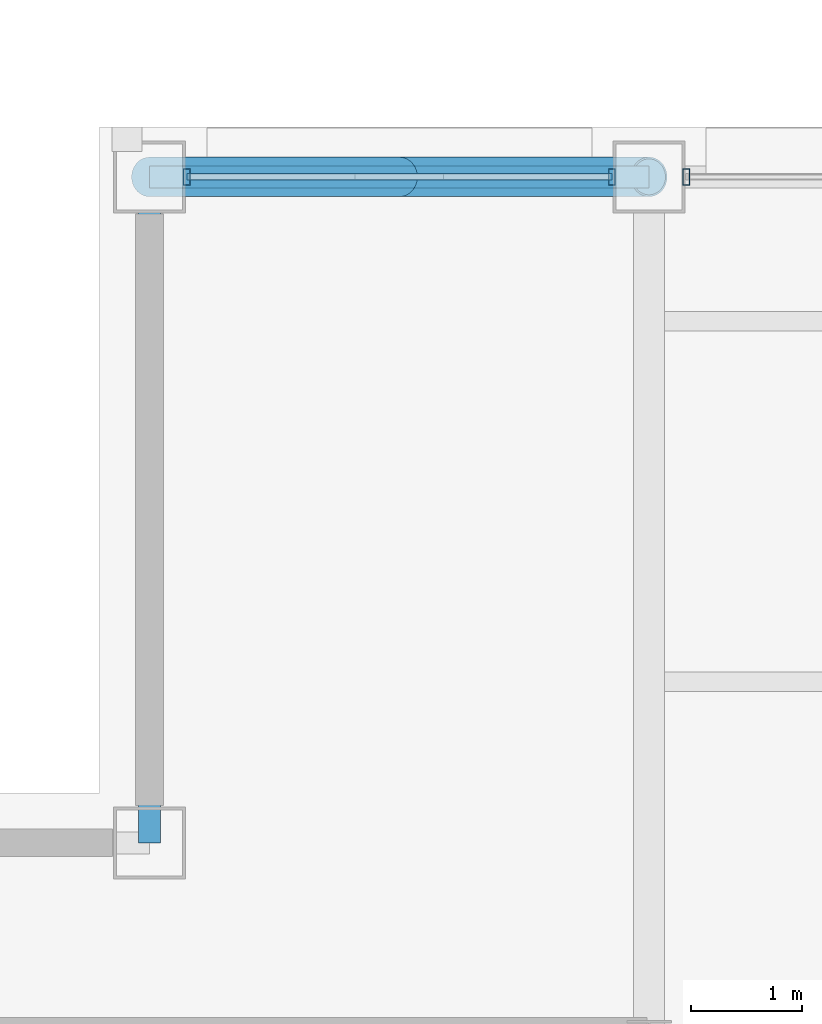
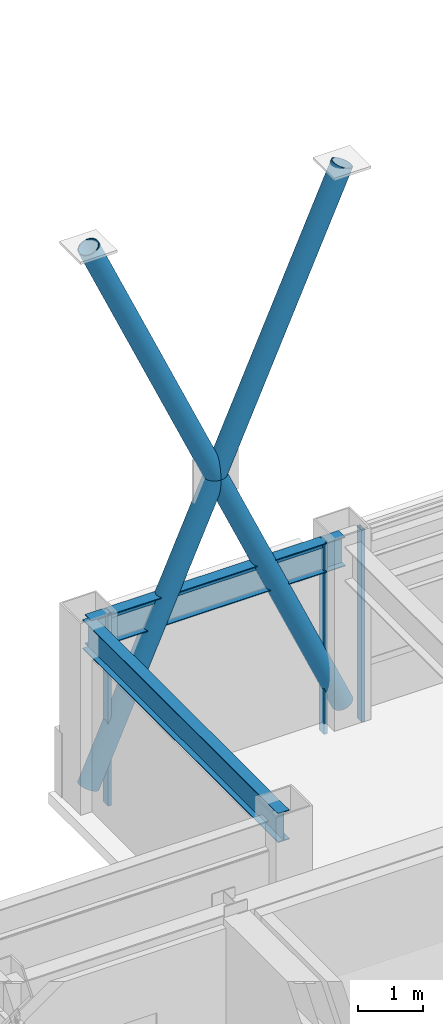
# One storey, part 17 of 28: 7 members, 2 beams, 2 elements without a shape of their own.
"""IFC4 building model written with IfcOpenShell, lengths in metres."""

from ifc_helpers import new_model, si_unit, direction, frame, origin, origin_2d, place, context, subcontext, project, spatial, hollow_rectangle, hollow_circle, i_section, extrude, material, layer, layer_set, material_profile, profile_set, type_object, element, aggregate, save


model = new_model("IFC4")

# Units and contexts
model_context = context("Model", 3, precision=1e-05, world=origin(), true_north=direction((0.0, 1.0)))
body_context = subcontext(model_context, "Body", "Model", "MODEL_VIEW")
ifc_project = project(units=[si_unit("LENGTHUNIT", "METRE"), si_unit("AREAUNIT", "SQUARE_METRE"), si_unit("VOLUMEUNIT", "CUBIC_METRE"), si_unit("PLANEANGLEUNIT", "RADIAN"), si_unit("MASSUNIT", "GRAM", prefix="KILO")], contexts=[model_context])

# Site, building, storey
site_placement = place(None, origin())
site = spatial("IfcSite", under=ifc_project, at=site_placement, CompositionType="ELEMENT")
building_placement = place(site_placement, origin())
building = spatial("IfcBuilding", under=site, at=building_placement, Name="Brelmoor Portico Tower", CompositionType="ELEMENT")
storey_placement = place(building_placement, frame((0.0, 0.0, 225.60009765625)))
storey = spatial("IfcBuildingStorey", under=building, at=storey_placement, Name="L59", CompositionType="ELEMENT", Elevation=225.60009765625)

# Beams
ifc_material_1 = material(Name="Steel Q355B", Category="steel")
ifc_material_profile_1 = material_profile(ifc_material_1, i_section(OverallWidth=0.199951171875, OverallDepth=0.550048828125, WebThickness=0.010009765625, FlangeThickness=0.01611328125, at=origin_2d()), Name="HN 550x200x10x16")
ifc_profile_set_1 = profile_set([ifc_material_profile_1], Name="Steel Q355B")
beam_type = type_object("IfcBeamType", Name="BM-SP-550", PredefinedType="SPANDREL", material=ifc_profile_set_1)
beam_1_placement = place(storey_placement, frame((-12.550048828125, 17.550048828125, 3.125), z_axis=(1.0, 0.0, 0.0), x_axis=(0.0, 1.0, 0.0)))
element("IfcBeam", 1, at=beam_1_placement, inside=storey, type_object=beam_type, Name="L59 Perimeter Spandrel Beam SP-08", PredefinedType="SPANDREL", context=body_context, shape_type="SweptSolid", body=[
    extrude(i_section(OverallWidth=0.199951171875, OverallDepth=0.550048828125, WebThickness=0.010009765625, FlangeThickness=0.01611328125, at=origin_2d()), origin(), (0.0, 0.0, 1.0), 4.5),
])
beam_2_placement = place(storey_placement, frame((-12.550048828125, 11.550048828125, 3.125), z_axis=(0.0, 1.0, 0.0), x_axis=(-1.0, 0.0, 0.0)))
element("IfcBeam", 2, at=beam_2_placement, inside=storey, type_object=beam_type, Name="L59 Perimeter Spandrel Beam SP-15", PredefinedType="SPANDREL", context=body_context, shape_type="SweptSolid", body=[
    extrude(i_section(OverallWidth=0.199951171875, OverallDepth=0.550048828125, WebThickness=0.010009765625, FlangeThickness=0.01611328125, at=origin_2d()), origin(), (0.0, 0.0, 1.0), 6.0),
])

# Members
ifc_material_profile_2 = material_profile(ifc_material_1, hollow_circle(Radius=0.177978515625, WallThickness=0.01611328125, at=origin_2d()), Name="CHS 356x16")
ifc_profile_set_2 = profile_set([ifc_material_profile_2], Name="Steel Q355B")
member_type_1 = type_object("IfcMemberType", Name="MB-BELT-DIAG2", PredefinedType="BRACE", material=ifc_profile_set_2)
member_1_placement = place(storey_placement, frame((-12.550048828125, 17.550048828125, 0.25), z_axis=(0.406982348496, 0.0, 0.913436022945), x_axis=(0.0, 1.0, 0.0)))
element("IfcMember", 3, at=member_1_placement, inside=storey, type_object=member_type_1, Name="L59 Continuous Mega-X Brace 136A", PredefinedType="BRACE", context=body_context, shape_type="SweptSolid", body=[
    extrude(hollow_circle(Radius=0.177978515625, WallThickness=0.01611328125, at=origin_2d()), origin(), (0.0, 0.0, 1.0), 11.056884765625),
])
member_2_placement = place(storey_placement, frame((-8.050048828125, 17.550048828125, 0.25), z_axis=(-0.406990557013, 0.0, 0.913432365587), x_axis=(0.0, -1.0, 0.0)))
element("IfcMember", 4, at=member_2_placement, inside=storey, type_object=member_type_1, Name="L59 Split Mega-X Brace 136B1", PredefinedType="BRACE", context=body_context, shape_type="SweptSolid", body=[
    extrude(hollow_circle(Radius=0.177978515625, WallThickness=0.01611328125, at=origin_2d()), origin(), (0.0, 0.0, 1.0), 5.5283203125),
])
member_3_placement = place(storey_placement, frame((-10.300048828125, 17.550048828125, 5.2998046875), z_axis=(-0.406974140277, 0.0, 0.913439680081), x_axis=(0.0, -1.0, 0.0)))
element("IfcMember", 5, at=member_3_placement, inside=storey, type_object=member_type_1, Name="L59 Split Mega-X Brace 136B2", PredefinedType="BRACE", context=body_context, shape_type="SweptSolid", body=[
    extrude(hollow_circle(Radius=0.177978515625, WallThickness=0.01611328125, at=origin_2d()), origin(), (0.0, 0.0, 1.0), 5.528564453125),
])

# Curtain wall, members
ifc_material_2 = material(Name="Anodised Aluminium Alloy 6063-T6", Category="aluminium")
ifc_layer_1 = layer(ifc_material_2, 0.179931640625)
ifc_layer_set_1 = layer_set([ifc_layer_1], Name="Anodised Aluminium Alloy 6063-T6")
curtain_wall_type_1 = type_object("IfcCurtainWallType", Name="CW-TOWER-Z4-XB", PredefinedType="NOTDEFINED", material=ifc_layer_set_1)
curtain_wall_1_placement = place(storey_placement, origin())
curtain_wall_1 = element("IfcCurtainWall", 6, at=curtain_wall_1_placement, inside=storey, type_object=curtain_wall_type_1, Name="L59 Curtain Wall CW-L59-2L-1", PredefinedType="NOTDEFINED")
ifc_material_profile_3 = material_profile(ifc_material_2, hollow_rectangle(XDim=0.06005859375, YDim=0.14990234375, WallThickness=0.00390625, at=origin_2d()), Name="ALU MULLION 60x150")
ifc_profile_set_3 = profile_set([ifc_material_profile_3], Name="Anodised Aluminium Alloy 6063-T6")
member_type_2 = type_object("IfcMemberType", Name="MB-CW-MULL-150", PredefinedType="MULLION", material=ifc_profile_set_3)
member_4_placement = place(storey_placement, frame((-12.215087890625, 17.550048828125, -0.2001953125), z_axis=(0.0, 0.0, 1.0), x_axis=(1.0, 0.0, 0.0)))
member_4 = element("IfcMember", 7, at=member_4_placement, type_object=member_type_2, Name="CW-L59-2L-1 Mullion 00", PredefinedType="MULLION", context=body_context, shape_type="SweptSolid", body=[
    extrude(hollow_rectangle(XDim=0.06005859375, YDim=0.14990234375, WallThickness=0.00390625, at=origin_2d()), origin(), (0.0, 0.0, 1.0), 3.60009765625),
])
member_5_placement = place(storey_placement, frame((-8.385009765625, 17.550048828125, -0.2001953125), z_axis=(0.0, 0.0, 1.0), x_axis=(1.0, 0.0, 0.0)))
member_5 = element("IfcMember", 8, at=member_5_placement, type_object=member_type_2, Name="CW-L59-2L-1 Mullion 01", PredefinedType="MULLION", context=body_context, shape_type="SweptSolid", body=[
    extrude(hollow_rectangle(XDim=0.06005859375, YDim=0.14990234375, WallThickness=0.00390625, at=origin_2d()), origin(), (0.0, 0.0, 1.0), 3.60009765625),
])

# Curtain wall, member
ifc_layer_2 = layer(ifc_material_2, 0.179931640625)
ifc_layer_set_2 = layer_set([ifc_layer_2], Name="Anodised Aluminium Alloy 6063-T6")
curtain_wall_type_2 = type_object("IfcCurtainWallType", Name="CW-TOWER-Z4", PredefinedType="NOTDEFINED", material=ifc_layer_set_2)
curtain_wall_2_placement = place(storey_placement, origin())
curtain_wall_2 = element("IfcCurtainWall", 9, at=curtain_wall_2_placement, inside=storey, type_object=curtain_wall_type_2, Name="L59 Curtain Wall CW-L59-2L-2", PredefinedType="NOTDEFINED")
member_6_placement = place(storey_placement, frame((-7.715087890625, 17.550048828125, -0.2001953125), z_axis=(0.0, 0.0, 1.0), x_axis=(1.0, 0.0, 0.0)))
member_6 = element("IfcMember", 10, at=member_6_placement, type_object=member_type_2, Name="CW-L59-2L-2 Mullion 00", PredefinedType="MULLION", context=body_context, shape_type="SweptSolid", body=[
    extrude(hollow_rectangle(XDim=0.06005859375, YDim=0.14990234375, WallThickness=0.00390625, at=origin_2d()), origin(), (0.0, 0.0, 1.0), 3.60009765625),
])
aggregate(curtain_wall_2, [member_6])

# Member
ifc_material_profile_4 = material_profile(ifc_material_2, hollow_rectangle(XDim=0.06005859375, YDim=0.125, WallThickness=0.00341796875, at=origin_2d()), Name="ALU TRANSOM 60x125")
ifc_profile_set_4 = profile_set([ifc_material_profile_4], Name="Anodised Aluminium Alloy 6063-T6")
member_type_3 = type_object("IfcMemberType", Name="MB-CW-TRAN-125", PredefinedType="USERDEFINED", material=ifc_profile_set_4)
member_7_placement = place(storey_placement, frame((-12.215087890625, 17.550048828125, 3.33740234375), z_axis=(1.0, 0.0, 0.0), x_axis=(0.0, 1.0, 0.0)))
member_7 = element("IfcMember", 11, at=member_7_placement, type_object=member_type_3, Name="CW-L59-2L-1 Transom 1-00", ObjectType="TRANSOM", PredefinedType="USERDEFINED", context=body_context, shape_type="SweptSolid", body=[
    extrude(hollow_rectangle(XDim=0.06005859375, YDim=0.125, WallThickness=0.00341796875, at=origin_2d()), origin(), (0.0, 0.0, 1.0), 3.830078125),
])

aggregate(curtain_wall_1, [member_4, member_5, member_7])

save(model, "model.ifc")
